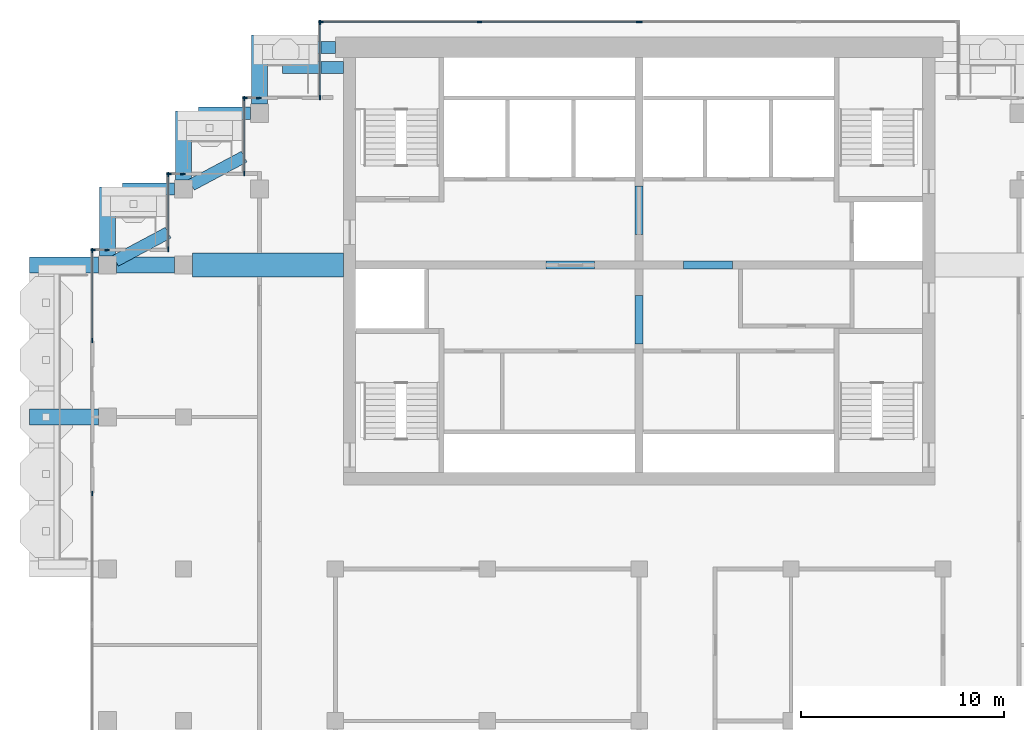
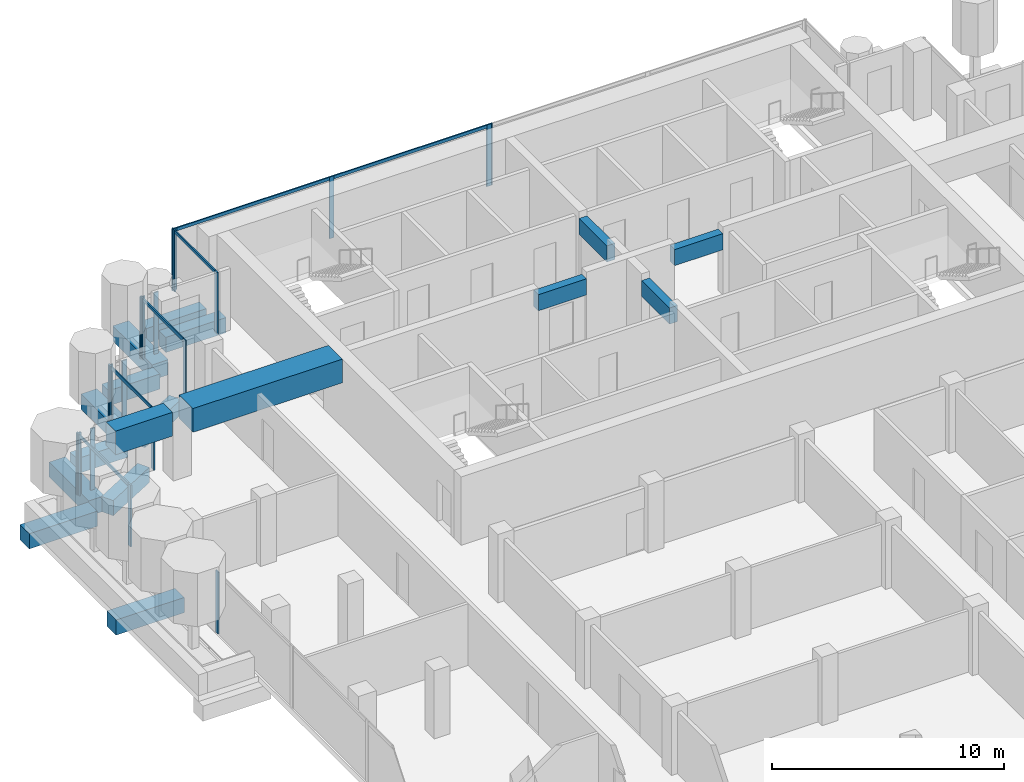
# One storey, part 5 of 18: 25 members, 17 beams, 10 elements without a shape of their own.
"""IFC4 building model written with IfcOpenShell, lengths in metres."""

from ifc_helpers import new_model, si_unit, direction, frame, origin, origin_2d, place, context, subcontext, project, spatial, rectangle, extrude, material, material_profile, profile_set, type_object, element, aggregate, save


model = new_model("IFC4")

# Units and contexts
model_context = context("Model", 3, precision=1e-05, world=origin(), true_north=direction((0.0, 1.0)))
body_context = subcontext(model_context, "Body", "Model", "MODEL_VIEW")
ifc_project = project(units=[si_unit("LENGTHUNIT", "METRE"), si_unit("AREAUNIT", "SQUARE_METRE"), si_unit("VOLUMEUNIT", "CUBIC_METRE"), si_unit("PLANEANGLEUNIT", "RADIAN"), si_unit("MASSUNIT", "GRAM", prefix="KILO")], contexts=[model_context])

# Site, building, storey
site_placement = place(None, origin())
site = spatial("IfcSite", under=ifc_project, at=site_placement, CompositionType="ELEMENT")
building_placement = place(site_placement, origin())
building = spatial("IfcBuilding", under=site, at=building_placement, Name="Pilkhan Gate Tower", CompositionType="ELEMENT")
storey_placement = place(building_placement, frame((0.0, 0.0, 249.89990234375)))
storey = spatial("IfcBuildingStorey", under=building, at=storey_placement, Name="L65", CompositionType="ELEMENT", Elevation=249.89990234375)

# Beams
ifc_material_1 = material(Name="Concrete C50/60", Category="concrete")
ifc_material_profile_1 = material_profile(ifc_material_1, rectangle(XDim=0.60009765625, YDim=0.800048828125, at=origin_2d()), Name="RC 600x800")
ifc_profile_set_1 = profile_set([ifc_material_profile_1], Name="Concrete C50/60")
beam_type_1 = type_object("IfcBeamType", Name="Cantilever beam CB1 RC 600x800 C50/60", PredefinedType="BEAM", material=ifc_profile_set_1)
for number, where, z_axis, x_axis, name in (
    (1, (60.0, 93.25, -0.699951171875), (-1.0, 0.0, 0.0), (0.0, -1.0, 0.0), "Balcony beam NW.2 L65"),
    (2, (60.39990234375, 92.25, -0.699951171875), (-1.0, 0.0, 0.0), (0.0, -1.0, 0.0), "Balcony beam NW.3 L65"),
):
    element("IfcBeam", number, at=place(storey_placement, frame(where, z_axis=z_axis, x_axis=x_axis)), inside=storey, type_object=beam_type_1, Name=name, PredefinedType="BEAM", context=body_context, shape_type="SweptSolid", body=[
        extrude(rectangle(XDim=0.60009765625, YDim=0.800048828125, at=origin_2d()), origin(), (0.0, 0.0, 1.0), 3.0),
    ])
beam_1_placement = place(storey_placement, frame((55.800048828125, 90.0, -0.699951171875), z_axis=(-1.0, 0.0, 0.0), x_axis=(0.0, -1.0, 0.0)))
element("IfcBeam", 3, at=beam_1_placement, inside=storey, type_object=beam_type_1, Name="Balcony beam NW1.2 L65", PredefinedType="BEAM", context=body_context, shape_type="SweptSolid", body=[
    extrude(rectangle(XDim=0.60009765625, YDim=0.800048828125, at=origin_2d()), origin(), (0.0, 0.0, 1.0), 2.550048828125),
])
beam_2_placement = place(storey_placement, frame((52.89697265625, 86.461669921875, -0.699951171875), z_axis=(0.882332323202, 0.470626891957, 0.0), x_axis=(-0.470626891957, 0.882332323202, 0.0)))
element("IfcBeam", 4, at=beam_2_placement, inside=storey, type_object=beam_type_1, Name="Balcony beam NW1.3 L65", PredefinedType="BEAM", context=body_context, shape_type="SweptSolid", body=[
    extrude(rectangle(XDim=0.60009765625, YDim=0.800048828125, at=origin_2d()), origin(), (0.0, 0.0, 1.0), 2.9501953125),
])
beam_3_placement = place(storey_placement, frame((52.050048828125, 86.25, -0.699951171875), z_axis=(-1.0, 0.0, 0.0), x_axis=(0.0, -1.0, 0.0)))
element("IfcBeam", 5, at=beam_3_placement, inside=storey, type_object=beam_type_1, Name="Balcony beam NW2.2 L65", PredefinedType="BEAM", context=body_context, shape_type="SweptSolid", body=[
    extrude(rectangle(XDim=0.60009765625, YDim=0.800048828125, at=origin_2d()), origin(), (0.0, 0.0, 1.0), 2.550048828125),
])
beam_4_placement = place(storey_placement, frame((49.14697265625, 82.711669921875, -0.699951171875), z_axis=(0.882332323202, 0.470626891957, 0.0), x_axis=(-0.470626891957, 0.882332323202, 0.0)))
element("IfcBeam", 6, at=beam_4_placement, inside=storey, type_object=beam_type_1, Name="Balcony beam NW2.3 L65", PredefinedType="BEAM", context=body_context, shape_type="SweptSolid", body=[
    extrude(rectangle(XDim=0.60009765625, YDim=0.800048828125, at=origin_2d()), origin(), (0.0, 0.0, 1.0), 2.9501953125),
])
ifc_material_profile_2 = material_profile(ifc_material_1, rectangle(XDim=0.800048828125, YDim=0.800048828125, at=origin_2d()), Name="RC 800x800")
ifc_profile_set_2 = profile_set([ifc_material_profile_2], Name="Concrete C50/60")
beam_type_2 = type_object("IfcBeamType", Name="Cantilever beam CB2 RC 800x800 C50/60", PredefinedType="BEAM", material=ifc_profile_set_2)
for number, where, z_axis, x_axis, name in (
    (7, (56.25, 90.449951171875, -0.699951171875), (0.0, 1.0, 0.0), (-1.0, 0.0, 0.0), "Balcony beam NW.1 L65"),
    (8, (52.5, 86.699951171875, -0.699951171875), (0.0, 1.0, 0.0), (-1.0, 0.0, 0.0), "Balcony beam NW1.1 L65"),
    (9, (48.75, 82.949951171875, -0.699951171875), (0.0, 1.0, 0.0), (-1.0, 0.0, 0.0), "Balcony beam NW2.1 L65"),
    (10, (48.300048828125, 75.0, -0.699951171875), (-1.0, 0.0, 0.0), (0.0, -1.0, 0.0), "Balcony beam W.2 L65"),
    (11, (48.300048828125, 82.5, -0.699951171875), (-1.0, 0.0, 0.0), (0.0, -1.0, 0.0), "Balcony beam W.3 L65"),
):
    element("IfcBeam", number, at=place(storey_placement, frame(where, z_axis=z_axis, x_axis=x_axis)), inside=storey, type_object=beam_type_2, Name=name, PredefinedType="BEAM", context=body_context, shape_type="SweptSolid", body=[
        extrude(rectangle(XDim=0.800048828125, YDim=0.800048828125, at=origin_2d()), origin(), (0.0, 0.0, 1.0), 3.400146484375),
    ])
ifc_material_profile_3 = material_profile(ifc_material_1, rectangle(XDim=0.39990234375, YDim=0.85009765625, at=origin_2d()), Name="RC 400x850")
ifc_profile_set_3 = profile_set([ifc_material_profile_3], Name="Concrete C50/60")
beam_type_3 = type_object("IfcBeamType", Name="Coupling beam CB85-4 RC 400x850 C50/60", PredefinedType="LINTEL", material=ifc_profile_set_3)
for number, where, z_axis, x_axis, name in (
    (12, (70.39990234375, 82.5, 2.8251953125), (1.0, 0.0, 0.0), (0.0, 1.0, 0.0), "Coupling beam 1 L65"),
    (13, (77.199951171875, 82.5, 2.8251953125), (1.0, 0.0, 0.0), (0.0, 1.0, 0.0), "Coupling beam 2 L65"),
):
    element("IfcBeam", number, at=place(storey_placement, frame(where, z_axis=z_axis, x_axis=x_axis)), inside=storey, type_object=beam_type_3, Name=name, PredefinedType="LINTEL", context=body_context, shape_type="SweptSolid", body=[
        extrude(rectangle(XDim=0.39990234375, YDim=0.85009765625, at=origin_2d()), origin(), (0.0, 0.0, 1.0), 2.400146484375),
    ])
for number, where, z_axis, x_axis, name in (
    (14, (75.0, 78.60009765625, 2.8251953125), (0.0, 1.0, 0.0), (-1.0, 0.0, 0.0), "Coupling beam 3 L65"),
    (15, (75.0, 84.0, 2.8251953125), (0.0, 1.0, 0.0), (-1.0, 0.0, 0.0), "Coupling beam 4 L65"),
):
    element("IfcBeam", number, at=place(storey_placement, frame(where, z_axis=z_axis, x_axis=x_axis)), inside=storey, type_object=beam_type_3, Name=name, PredefinedType="LINTEL", context=body_context, shape_type="SweptSolid", body=[
        extrude(rectangle(XDim=0.39990234375, YDim=0.85009765625, at=origin_2d()), origin(), (0.0, 0.0, 1.0), 2.39990234375),
    ])

# Curtain wall, members
ifc_material_2 = material(Name="Pale anodised aluminium, clear low-iron double glazing", Category="aluminium")
curtain_wall_type = type_object("IfcCurtainWallType", Name="Office unitised curtain wall CW-O2", PredefinedType="USERDEFINED", material=ifc_material_2)
curtain_wall_1_placement = place(storey_placement, origin())
curtain_wall_1 = element("IfcCurtainWall", 16, at=curtain_wall_1_placement, inside=storey, type_object=curtain_wall_type, Name="Office unitised curtain wall CW-O2 L65 N", ObjectType="UNITISED CURTAIN WALL", PredefinedType="USERDEFINED")
ifc_material_3 = material(Name="Pale anodised aluminium", Category="aluminium")
ifc_material_profile_4 = material_profile(ifc_material_3, rectangle(XDim=0.06494140625, YDim=0.22509765625, at=origin_2d()), Name="Mullion 225x65")
ifc_profile_set_4 = profile_set([ifc_material_profile_4], Name="Pale anodised aluminium")
member_type_1 = type_object("IfcMemberType", Name="Mullion CW-O2 225x65", PredefinedType="MULLION", material=ifc_profile_set_4)
member_1_placement = place(storey_placement, frame((59.282470703125, 94.5, 0.0), z_axis=(0.0, 0.0, 1.0), x_axis=(0.0, 1.0, 0.0)))
member_1 = element("IfcMember", 17, at=member_1_placement, type_object=member_type_1, Name="CW-O2 mullion 1", PredefinedType="MULLION", context=body_context, shape_type="SweptSolid", body=[
    extrude(rectangle(XDim=0.06494140625, YDim=0.22509765625, at=origin_2d()), origin(), (0.0, 0.0, 1.0), 3.25),
])
member_2_placement = place(storey_placement, frame((67.125, 94.5, 0.0), z_axis=(0.0, 0.0, 1.0), x_axis=(0.0, 1.0, 0.0)))
member_2 = element("IfcMember", 18, at=member_2_placement, type_object=member_type_1, Name="CW-O2 mullion 2", PredefinedType="MULLION", context=body_context, shape_type="SweptSolid", body=[
    extrude(rectangle(XDim=0.06494140625, YDim=0.22509765625, at=origin_2d()), origin(), (0.0, 0.0, 1.0), 3.25),
])
member_3_placement = place(storey_placement, frame((74.967529296875, 94.5, 0.0), z_axis=(0.0, 0.0, 1.0), x_axis=(0.0, 1.0, 0.0)))
member_3 = element("IfcMember", 19, at=member_3_placement, type_object=member_type_1, Name="CW-O2 mullion 3", PredefinedType="MULLION", context=body_context, shape_type="SweptSolid", body=[
    extrude(rectangle(XDim=0.06494140625, YDim=0.22509765625, at=origin_2d()), origin(), (0.0, 0.0, 1.0), 3.25),
])

# Curtain wall, member
curtain_wall_2_placement = place(storey_placement, origin())
curtain_wall_2 = element("IfcCurtainWall", 20, at=curtain_wall_2_placement, inside=storey, type_object=curtain_wall_type, Name="Office unitised curtain wall CW-O2 L65 N", ObjectType="UNITISED CURTAIN WALL", PredefinedType="USERDEFINED")
member_4_placement = place(storey_placement, frame((75.032470703125, 94.5, 0.0), z_axis=(0.0, 0.0, 1.0), x_axis=(0.0, 1.0, 0.0)))
member_4 = element("IfcMember", 21, at=member_4_placement, type_object=member_type_1, Name="CW-O2 mullion 1", PredefinedType="MULLION", context=body_context, shape_type="SweptSolid", body=[
    extrude(rectangle(XDim=0.06494140625, YDim=0.22509765625, at=origin_2d()), origin(), (0.0, 0.0, 1.0), 3.25),
])
aggregate(curtain_wall_2, [member_4])

# Curtain wall, members
curtain_wall_3_placement = place(storey_placement, origin())
curtain_wall_3 = element("IfcCurtainWall", 22, at=curtain_wall_3_placement, inside=storey, type_object=curtain_wall_type, Name="Office unitised curtain wall CW-O2 L65 W", ObjectType="UNITISED CURTAIN WALL", PredefinedType="USERDEFINED")
member_5_placement = place(storey_placement, frame((59.25, 90.782470703125, 0.0), z_axis=(0.0, 0.0, 1.0), x_axis=(-1.0, 0.0, 0.0)))
member_5 = element("IfcMember", 23, at=member_5_placement, type_object=member_type_1, Name="CW-O2 mullion 1", PredefinedType="MULLION", context=body_context, shape_type="SweptSolid", body=[
    extrude(rectangle(XDim=0.06494140625, YDim=0.22509765625, at=origin_2d()), origin(), (0.0, 0.0, 1.0), 3.25),
])
member_6_placement = place(storey_placement, frame((59.25, 94.467529296875, 0.0), z_axis=(0.0, 0.0, 1.0), x_axis=(-1.0, 0.0, 0.0)))
member_6 = element("IfcMember", 24, at=member_6_placement, type_object=member_type_1, Name="CW-O2 mullion 2", PredefinedType="MULLION", context=body_context, shape_type="SweptSolid", body=[
    extrude(rectangle(XDim=0.06494140625, YDim=0.22509765625, at=origin_2d()), origin(), (0.0, 0.0, 1.0), 3.25),
])

curtain_wall_4_placement = place(storey_placement, origin())
curtain_wall_4 = element("IfcCurtainWall", 25, at=curtain_wall_4_placement, inside=storey, type_object=curtain_wall_type, Name="Office unitised curtain wall CW-O2 L65 N", ObjectType="UNITISED CURTAIN WALL", PredefinedType="USERDEFINED")
member_7_placement = place(storey_placement, frame((55.532470703125, 90.75, 0.0), z_axis=(0.0, 0.0, 1.0), x_axis=(0.0, 1.0, 0.0)))
member_7 = element("IfcMember", 26, at=member_7_placement, type_object=member_type_1, Name="CW-O2 mullion 1", PredefinedType="MULLION", context=body_context, shape_type="SweptSolid", body=[
    extrude(rectangle(XDim=0.06494140625, YDim=0.22509765625, at=origin_2d()), origin(), (0.0, 0.0, 1.0), 3.25),
])
member_8_placement = place(storey_placement, frame((56.217529296875, 90.75, 0.0), z_axis=(0.0, 0.0, 1.0), x_axis=(0.0, 1.0, 0.0)))
member_8 = element("IfcMember", 27, at=member_8_placement, type_object=member_type_1, Name="CW-O2 mullion 2", PredefinedType="MULLION", context=body_context, shape_type="SweptSolid", body=[
    extrude(rectangle(XDim=0.06494140625, YDim=0.22509765625, at=origin_2d()), origin(), (0.0, 0.0, 1.0), 3.25),
])
aggregate(curtain_wall_4, [member_7, member_8])

curtain_wall_5_placement = place(storey_placement, origin())
curtain_wall_5 = element("IfcCurtainWall", 28, at=curtain_wall_5_placement, inside=storey, type_object=curtain_wall_type, Name="Office unitised curtain wall CW-O2 L65 W", ObjectType="UNITISED CURTAIN WALL", PredefinedType="USERDEFINED")
member_9_placement = place(storey_placement, frame((55.5, 87.032470703125, 0.0), z_axis=(0.0, 0.0, 1.0), x_axis=(-1.0, 0.0, 0.0)))
member_9 = element("IfcMember", 29, at=member_9_placement, type_object=member_type_1, Name="CW-O2 mullion 1", PredefinedType="MULLION", context=body_context, shape_type="SweptSolid", body=[
    extrude(rectangle(XDim=0.06494140625, YDim=0.22509765625, at=origin_2d()), origin(), (0.0, 0.0, 1.0), 3.25),
])
member_10_placement = place(storey_placement, frame((55.5, 90.717529296875, 0.0), z_axis=(0.0, 0.0, 1.0), x_axis=(-1.0, 0.0, 0.0)))
member_10 = element("IfcMember", 30, at=member_10_placement, type_object=member_type_1, Name="CW-O2 mullion 2", PredefinedType="MULLION", context=body_context, shape_type="SweptSolid", body=[
    extrude(rectangle(XDim=0.06494140625, YDim=0.22509765625, at=origin_2d()), origin(), (0.0, 0.0, 1.0), 3.25),
])

curtain_wall_6_placement = place(storey_placement, origin())
curtain_wall_6 = element("IfcCurtainWall", 31, at=curtain_wall_6_placement, inside=storey, type_object=curtain_wall_type, Name="Office unitised curtain wall CW-O2 L65 N", ObjectType="UNITISED CURTAIN WALL", PredefinedType="USERDEFINED")
member_11_placement = place(storey_placement, frame((51.782470703125, 87.0, 0.0), z_axis=(0.0, 0.0, 1.0), x_axis=(0.0, 1.0, 0.0)))
member_11 = element("IfcMember", 32, at=member_11_placement, type_object=member_type_1, Name="CW-O2 mullion 1", PredefinedType="MULLION", context=body_context, shape_type="SweptSolid", body=[
    extrude(rectangle(XDim=0.06494140625, YDim=0.22509765625, at=origin_2d()), origin(), (0.0, 0.0, 1.0), 3.25),
])
member_12_placement = place(storey_placement, frame((52.467529296875, 87.0, 0.0), z_axis=(0.0, 0.0, 1.0), x_axis=(0.0, 1.0, 0.0)))
member_12 = element("IfcMember", 33, at=member_12_placement, type_object=member_type_1, Name="CW-O2 mullion 2", PredefinedType="MULLION", context=body_context, shape_type="SweptSolid", body=[
    extrude(rectangle(XDim=0.06494140625, YDim=0.22509765625, at=origin_2d()), origin(), (0.0, 0.0, 1.0), 3.25),
])
aggregate(curtain_wall_6, [member_11, member_12])

curtain_wall_7_placement = place(storey_placement, origin())
curtain_wall_7 = element("IfcCurtainWall", 34, at=curtain_wall_7_placement, inside=storey, type_object=curtain_wall_type, Name="Office unitised curtain wall CW-O2 L65 W", ObjectType="UNITISED CURTAIN WALL", PredefinedType="USERDEFINED")
member_13_placement = place(storey_placement, frame((51.75, 83.282470703125, 0.0), z_axis=(0.0, 0.0, 1.0), x_axis=(-1.0, 0.0, 0.0)))
member_13 = element("IfcMember", 35, at=member_13_placement, type_object=member_type_1, Name="CW-O2 mullion 1", PredefinedType="MULLION", context=body_context, shape_type="SweptSolid", body=[
    extrude(rectangle(XDim=0.06494140625, YDim=0.22509765625, at=origin_2d()), origin(), (0.0, 0.0, 1.0), 3.25),
])
member_14_placement = place(storey_placement, frame((51.75, 86.967529296875, 0.0), z_axis=(0.0, 0.0, 1.0), x_axis=(-1.0, 0.0, 0.0)))
member_14 = element("IfcMember", 36, at=member_14_placement, type_object=member_type_1, Name="CW-O2 mullion 2", PredefinedType="MULLION", context=body_context, shape_type="SweptSolid", body=[
    extrude(rectangle(XDim=0.06494140625, YDim=0.22509765625, at=origin_2d()), origin(), (0.0, 0.0, 1.0), 3.25),
])

curtain_wall_8_placement = place(storey_placement, origin())
curtain_wall_8 = element("IfcCurtainWall", 37, at=curtain_wall_8_placement, inside=storey, type_object=curtain_wall_type, Name="Office unitised curtain wall CW-O2 L65 N", ObjectType="UNITISED CURTAIN WALL", PredefinedType="USERDEFINED")
member_15_placement = place(storey_placement, frame((48.032470703125, 83.25, 0.0), z_axis=(0.0, 0.0, 1.0), x_axis=(0.0, 1.0, 0.0)))
member_15 = element("IfcMember", 38, at=member_15_placement, type_object=member_type_1, Name="CW-O2 mullion 1", PredefinedType="MULLION", context=body_context, shape_type="SweptSolid", body=[
    extrude(rectangle(XDim=0.06494140625, YDim=0.22509765625, at=origin_2d()), origin(), (0.0, 0.0, 1.0), 3.25),
])
member_16_placement = place(storey_placement, frame((48.717529296875, 83.25, 0.0), z_axis=(0.0, 0.0, 1.0), x_axis=(0.0, 1.0, 0.0)))
member_16 = element("IfcMember", 39, at=member_16_placement, type_object=member_type_1, Name="CW-O2 mullion 2", PredefinedType="MULLION", context=body_context, shape_type="SweptSolid", body=[
    extrude(rectangle(XDim=0.06494140625, YDim=0.22509765625, at=origin_2d()), origin(), (0.0, 0.0, 1.0), 3.25),
])
aggregate(curtain_wall_8, [member_15, member_16])

# Curtain wall, member
curtain_wall_9_placement = place(storey_placement, origin())
curtain_wall_9 = element("IfcCurtainWall", 40, at=curtain_wall_9_placement, inside=storey, type_object=curtain_wall_type, Name="Office unitised curtain wall CW-O2 L65 W", ObjectType="UNITISED CURTAIN WALL", PredefinedType="USERDEFINED")
member_17_placement = place(storey_placement, frame((48.0, 71.217529296875, 0.0), z_axis=(0.0, 0.0, 1.0), x_axis=(-1.0, 0.0, 0.0)))
member_17 = element("IfcMember", 41, at=member_17_placement, type_object=member_type_1, Name="CW-O2 mullion 2", PredefinedType="MULLION", context=body_context, shape_type="SweptSolid", body=[
    extrude(rectangle(XDim=0.06494140625, YDim=0.22509765625, at=origin_2d()), origin(), (0.0, 0.0, 1.0), 3.25),
])
aggregate(curtain_wall_9, [member_17])

# Curtain wall, members
curtain_wall_10_placement = place(storey_placement, origin())
curtain_wall_10 = element("IfcCurtainWall", 42, at=curtain_wall_10_placement, inside=storey, type_object=curtain_wall_type, Name="Office unitised curtain wall CW-O2 L65 W", ObjectType="UNITISED CURTAIN WALL", PredefinedType="USERDEFINED")
member_18_placement = place(storey_placement, frame((48.0, 78.782470703125, 0.0), z_axis=(0.0, 0.0, 1.0), x_axis=(-1.0, 0.0, 0.0)))
member_18 = element("IfcMember", 43, at=member_18_placement, type_object=member_type_1, Name="CW-O2 mullion 1", PredefinedType="MULLION", context=body_context, shape_type="SweptSolid", body=[
    extrude(rectangle(XDim=0.06494140625, YDim=0.22509765625, at=origin_2d()), origin(), (0.0, 0.0, 1.0), 3.25),
])
member_19_placement = place(storey_placement, frame((48.0, 83.217529296875, 0.0), z_axis=(0.0, 0.0, 1.0), x_axis=(-1.0, 0.0, 0.0)))
member_19 = element("IfcMember", 44, at=member_19_placement, type_object=member_type_1, Name="CW-O2 mullion 2", PredefinedType="MULLION", context=body_context, shape_type="SweptSolid", body=[
    extrude(rectangle(XDim=0.06494140625, YDim=0.22509765625, at=origin_2d()), origin(), (0.0, 0.0, 1.0), 3.25),
])

# Beams
ifc_material_4 = material(Name="Concrete C60/75", Category="concrete")
ifc_material_profile_5 = material_profile(ifc_material_4, rectangle(XDim=0.800048828125, YDim=1.25, at=origin_2d()), Name="RC 800x1250")
ifc_profile_set_5 = profile_set([ifc_material_profile_5], Name="Concrete C60/75")
beam_type_4 = type_object("IfcBeamType", Name="Outrigger support beam OB1 RC 800x1250 C60/75", PredefinedType="BEAM", material=ifc_profile_set_5)
beam_5_placement = place(storey_placement, frame((49.199951171875, 82.5, 2.97509765625), z_axis=(1.0, 0.0, 0.0), x_axis=(0.0, 1.0, 0.0)))
element("IfcBeam", 45, at=beam_5_placement, inside=storey, type_object=beam_type_4, Name="Outrigger support beam 1 L66", PredefinedType="BEAM", context=body_context, shape_type="SweptSolid", body=[
    extrude(rectangle(XDim=0.800048828125, YDim=1.25, at=origin_2d()), origin(), (0.0, 0.0, 1.0), 2.85009765625),
])
ifc_material_profile_6 = material_profile(ifc_material_4, rectangle(XDim=1.199951171875, YDim=1.25, at=origin_2d()), Name="RC 1200x1250")
ifc_profile_set_6 = profile_set([ifc_material_profile_6], Name="Concrete C60/75")
beam_type_5 = type_object("IfcBeamType", Name="Outrigger support beam OB3 RC 1200x1250 C60/75", PredefinedType="BEAM", material=ifc_profile_set_6)
beam_6_placement = place(storey_placement, frame((52.949951171875, 82.5, 2.97509765625), z_axis=(1.0, 0.0, 0.0), x_axis=(0.0, 1.0, 0.0)))
element("IfcBeam", 46, at=beam_6_placement, inside=storey, type_object=beam_type_5, Name="Outrigger support beam 2 L66", PredefinedType="BEAM", context=body_context, shape_type="SweptSolid", body=[
    extrude(rectangle(XDim=1.199951171875, YDim=1.25, at=origin_2d()), origin(), (0.0, 0.0, 1.0), 7.449951171875),
])

# Member
ifc_material_profile_7 = material_profile(ifc_material_3, rectangle(XDim=0.06494140625, YDim=0.1650390625, at=origin_2d()), Name="Transom 165x65")
ifc_profile_set_7 = profile_set([ifc_material_profile_7], Name="Pale anodised aluminium")
member_type_2 = type_object("IfcMemberType", Name="Transom CW-O2 165x65", PredefinedType="USERDEFINED", material=ifc_profile_set_7)
member_20_placement = place(storey_placement, frame((59.31494140625, 94.5, 3.16748046875), z_axis=(1.0, 0.0, 0.0), x_axis=(0.0, 1.0, 0.0)))
member_20 = element("IfcMember", 47, at=member_20_placement, type_object=member_type_2, Name="CW-O2 transom 1", ObjectType="TRANSOM", PredefinedType="USERDEFINED", context=body_context, shape_type="SweptSolid", body=[
    extrude(rectangle(XDim=0.06494140625, YDim=0.1650390625, at=origin_2d()), origin(), (0.0, 0.0, 1.0), 7.777587890625),
])

member_21_placement = place(storey_placement, frame((67.157470703125, 94.5, 3.16748046875), z_axis=(1.0, 0.0, 0.0), x_axis=(0.0, 1.0, 0.0)))
member_21 = element("IfcMember", 48, at=member_21_placement, type_object=member_type_2, Name="CW-O2 transom 2", ObjectType="TRANSOM", PredefinedType="USERDEFINED", context=body_context, shape_type="SweptSolid", body=[
    extrude(rectangle(XDim=0.06494140625, YDim=0.1650390625, at=origin_2d()), origin(), (0.0, 0.0, 1.0), 7.777587890625),
])

aggregate(curtain_wall_1, [member_1, member_2, member_3, member_20, member_21])

member_22_placement = place(storey_placement, frame((59.25, 90.81494140625, 3.16748046875), z_axis=(0.0, 1.0, 0.0), x_axis=(-1.0, 0.0, 0.0)))
member_22 = element("IfcMember", 49, at=member_22_placement, type_object=member_type_2, Name="CW-O2 transom 1", ObjectType="TRANSOM", PredefinedType="USERDEFINED", context=body_context, shape_type="SweptSolid", body=[
    extrude(rectangle(XDim=0.06494140625, YDim=0.1650390625, at=origin_2d()), origin(), (0.0, 0.0, 1.0), 3.6201171875),
])

aggregate(curtain_wall_3, [member_5, member_6, member_22])

member_23_placement = place(storey_placement, frame((55.5, 87.06494140625, 3.16748046875), z_axis=(0.0, 1.0, 0.0), x_axis=(-1.0, 0.0, 0.0)))
member_23 = element("IfcMember", 50, at=member_23_placement, type_object=member_type_2, Name="CW-O2 transom 1", ObjectType="TRANSOM", PredefinedType="USERDEFINED", context=body_context, shape_type="SweptSolid", body=[
    extrude(rectangle(XDim=0.06494140625, YDim=0.1650390625, at=origin_2d()), origin(), (0.0, 0.0, 1.0), 3.6201171875),
])

aggregate(curtain_wall_5, [member_9, member_10, member_23])

member_24_placement = place(storey_placement, frame((51.75, 83.31494140625, 3.16748046875), z_axis=(0.0, 1.0, 0.0), x_axis=(-1.0, 0.0, 0.0)))
member_24 = element("IfcMember", 51, at=member_24_placement, type_object=member_type_2, Name="CW-O2 transom 1", ObjectType="TRANSOM", PredefinedType="USERDEFINED", context=body_context, shape_type="SweptSolid", body=[
    extrude(rectangle(XDim=0.06494140625, YDim=0.1650390625, at=origin_2d()), origin(), (0.0, 0.0, 1.0), 3.6201171875),
])

aggregate(curtain_wall_7, [member_13, member_14, member_24])

member_25_placement = place(storey_placement, frame((48.0, 78.81494140625, 3.16748046875), z_axis=(0.0, 1.0, 0.0), x_axis=(-1.0, 0.0, 0.0)))
member_25 = element("IfcMember", 52, at=member_25_placement, type_object=member_type_2, Name="CW-O2 transom 1", ObjectType="TRANSOM", PredefinedType="USERDEFINED", context=body_context, shape_type="SweptSolid", body=[
    extrude(rectangle(XDim=0.06494140625, YDim=0.1650390625, at=origin_2d()), origin(), (0.0, 0.0, 1.0), 4.3701171875),
])

aggregate(curtain_wall_10, [member_18, member_19, member_25])

save(model, "model.ifc")
